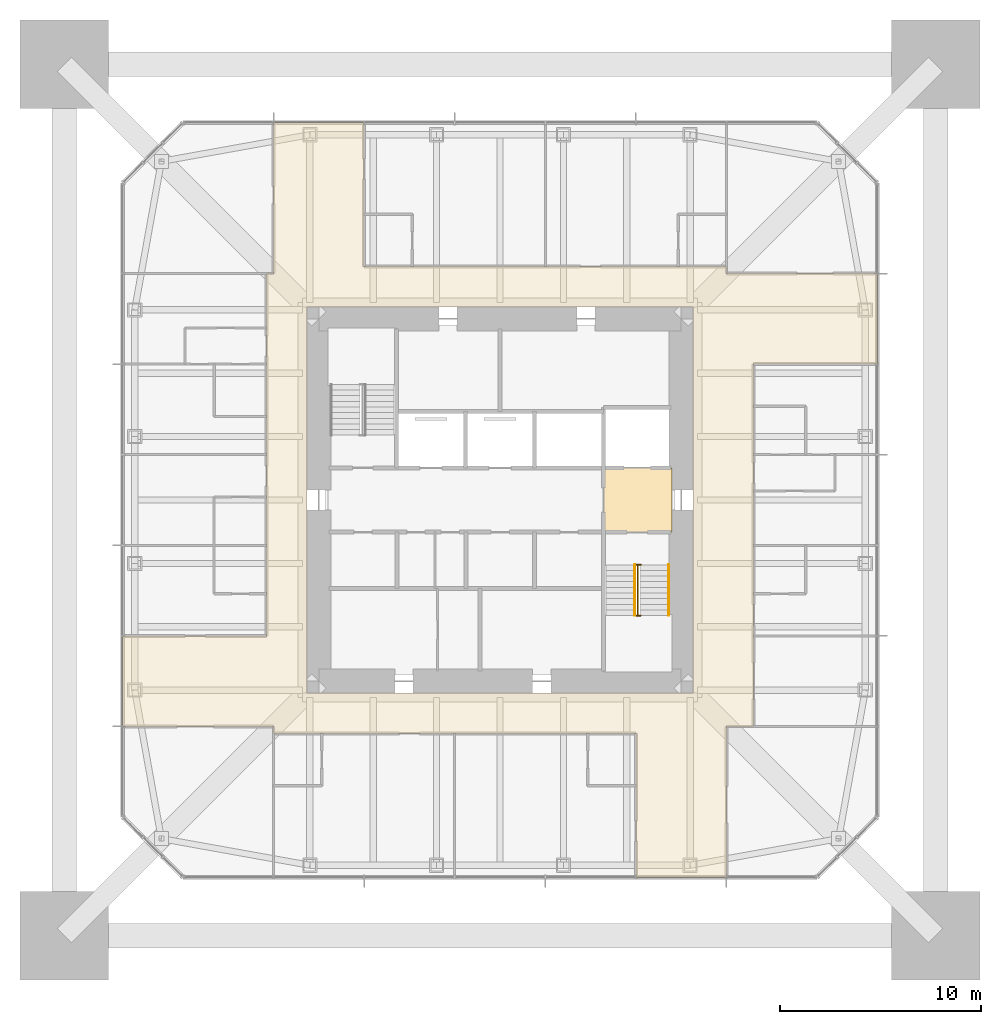
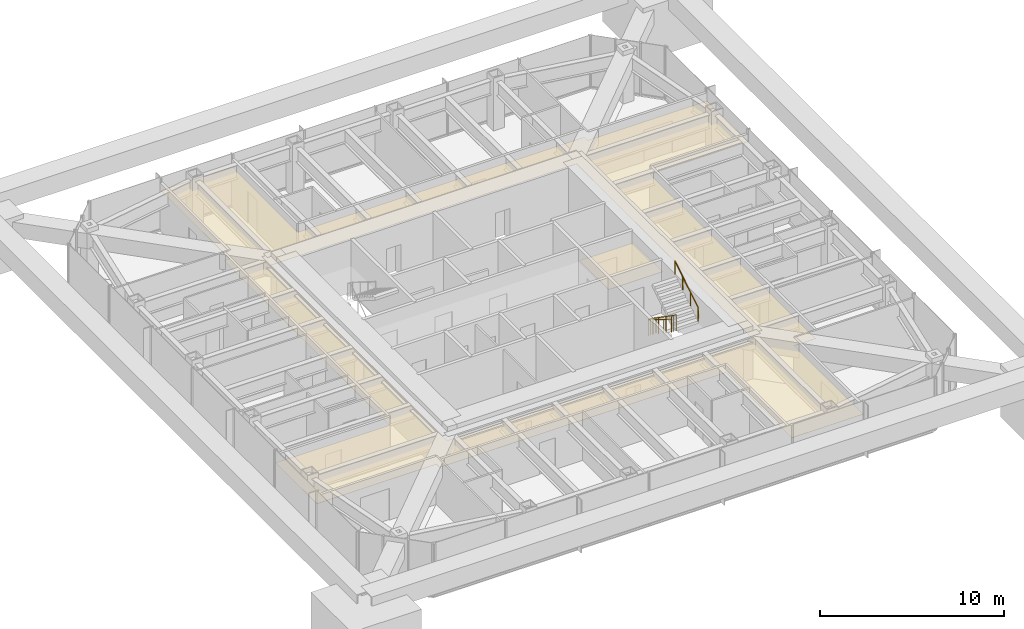
# One storey, part 14 of 15: 3 railings, 2 coverings.
"""IFC4 building model written with IfcOpenShell, lengths in metres."""

from ifc_helpers import new_model, si_unit, direction, frame, origin, origin_2d, place, context, subcontext, project, spatial, polyline, circle, outline, extrude, material, layer, layer_set, constituent, constituent_set, type_object, element, save


model = new_model("IFC4")

# Units and contexts
model_context = context("Model", 3, precision=1e-05, world=origin(), true_north=direction((0.0, 1.0)))
body_context = subcontext(model_context, "Body", "Model", "MODEL_VIEW")
ifc_project = project(units=[si_unit("LENGTHUNIT", "METRE"), si_unit("AREAUNIT", "SQUARE_METRE"), si_unit("VOLUMEUNIT", "CUBIC_METRE"), si_unit("PLANEANGLEUNIT", "RADIAN"), si_unit("MASSUNIT", "GRAM", prefix="KILO")], contexts=[model_context])

# Site, building, storey
site_placement = place(None, origin())
site = spatial("IfcSite", under=ifc_project, at=site_placement, CompositionType="ELEMENT")
building_placement = place(site_placement, origin())
building = spatial("IfcBuilding", under=site, at=building_placement, Name="Iwan Alto Co-Living Towers", CompositionType="ELEMENT")
storey_placement = place(building_placement, frame((0.0, 0.0, 205.5)))
storey = spatial("IfcBuildingStorey", under=building, at=storey_placement, Name="L56", CompositionType="ELEMENT", Elevation=205.5)

# Covering
ifc_material_1 = material(Name="Mineral fibre acoustic tiles on steel grid", Category="steel")
ifc_layer_1 = layer(ifc_material_1, 0.02001953125)
ifc_layer_set_1 = layer_set([ifc_layer_1], Name="ACOUSTIC TILE CEILING 20")
covering_type_1 = type_object("IfcCoveringType", Name="ACOUSTIC TILE CEILING 20", PredefinedType="CEILING", material=ifc_layer_set_1)
covering_1_placement = place(storey_placement, frame((0.0, 0.0, 2.60009765625)))
element("IfcCovering", 1, at=covering_1_placement, inside=storey, type_object=covering_type_1, Name="Ceiling Firefighting lobby L56", PredefinedType="CEILING", context=body_context, shape_type="SweptSolid", body=[
    extrude(outline(polyline([(5.14990234375, -1.60009765625), (5.14990234375, 1.60009765625), (8.550048828125, 1.60009765625), (8.550048828125, -1.60009765625), (5.14990234375, -1.60009765625)])), origin(), (0.0, 0.0, 1.0), 0.02001953125),
])

# Railings
ifc_material_2 = material(Name="Steel ASTM A500 Gr C", Category="steel")
ifc_constituent_1 = constituent(ifc_material_2, Name="Rails and posts", Category="Framing")
ifc_material_3 = material(Name="Steel ASTM A36", Category="steel")
ifc_constituent_2 = constituent(ifc_material_3, Name="Bar infill", Category="Infill")
ifc_constituent_set = constituent_set(constituents=[ifc_constituent_1, ifc_constituent_2], Name="STAIR GUARD 1100")
railing_type_1 = type_object("IfcRailingType", Name="STAIR GUARD 1100", PredefinedType="GUARDRAIL", material=ifc_constituent_set)
railing_1_placement = place(storey_placement, frame((6.85009765625, -3.219970703125, 0.0)))
element("IfcRailing", 2, at=railing_1_placement, inside=storey, type_object=railing_type_1, Name="Stair T1-S2 well guard L56", PredefinedType="GUARDRAIL", context=body_context, shape_type="SweptSolid", body=[
    extrude(circle(Radius=0.02392578125, at=origin_2d()), frame((0.0, 0.0, 1.076171875), z_axis=(0.0, -0.821372036852, 0.570392826987), x_axis=(1.0, 0.0, 0.0)), (0.0, 0.0, 1.0), 3.068115234375),
    extrude(circle(Radius=0.02392578125, at=origin_2d()), frame((-0.150146484375, 0.0, 1.076171875), z_axis=(1.0, 0.0, 0.0), x_axis=(0.0, 1.0, 0.0)), (0.0, 0.0, 1.0), 0.300048828125),
    extrude(circle(Radius=0.02392578125, at=origin_2d()), frame((-0.150146484375, -2.52001953125, 2.826171875), z_axis=(1.0, 0.0, 0.0), x_axis=(0.0, 1.0, 0.0)), (0.0, 0.0, 1.0), 0.300048828125),
    extrude(circle(Radius=0.02099609375, at=origin_2d()), origin(), (0.0, 0.0, 1.0), 1.052001953125),
    extrude(circle(Radius=0.02099609375, at=origin_2d()), frame((0.0, -0.840087890625, 0.583251953125)), (0.0, 0.0, 1.0), 1.052001953125),
    extrude(circle(Radius=0.02099609375, at=origin_2d()), frame((0.0, -1.679931640625, 1.166748046875)), (0.0, 0.0, 1.0), 1.052001953125),
    extrude(circle(Radius=0.02099609375, at=origin_2d()), frame((0.0, -2.52001953125, 1.75)), (0.0, 0.0, 1.0), 1.052001953125),
    extrude(circle(Radius=0.02099609375, at=origin_2d()), frame((-0.150146484375, 0.0, 0.0)), (0.0, 0.0, 1.0), 1.052001953125),
    extrude(circle(Radius=0.02099609375, at=origin_2d()), frame((0.14990234375, 0.0, 0.0)), (0.0, 0.0, 1.0), 1.052001953125),
    extrude(circle(Radius=0.02099609375, at=origin_2d()), frame((-0.150146484375, -2.52001953125, 1.75)), (0.0, 0.0, 1.0), 1.052001953125),
    extrude(circle(Radius=0.02099609375, at=origin_2d()), frame((0.14990234375, -2.52001953125, 1.75)), (0.0, 0.0, 1.0), 1.052001953125),
])
ifc_material_4 = material(Name="Steel ASTM A500 Gr C", Category="steel")
railing_type_2 = type_object("IfcRailingType", Name="STAIR HANDRAIL 900", PredefinedType="HANDRAIL", material=ifc_material_4)
railing_2_placement = place(storey_placement, frame((6.699951171875, -3.219970703125, 0.175048828125)))
element("IfcRailing", 3, at=railing_2_placement, inside=storey, type_object=railing_type_2, Name="Stair T1-S2 handrail 1 L56", PredefinedType="HANDRAIL", context=body_context, shape_type="SweptSolid", body=[
    extrude(circle(Radius=0.02392578125, at=origin_2d()), frame((0.0, 0.0, 0.8759765625), z_axis=(0.0, -0.848007534815, 0.529984170421), x_axis=(1.0, 0.0, 0.0)), (0.0, 0.0, 1.0), 2.9716796875),
    extrude(circle(Radius=0.02099609375, at=origin_2d()), origin(), (0.0, 0.0, 1.0), 0.851806640625),
    extrude(circle(Radius=0.02099609375, at=origin_2d()), frame((0.0, -0.840087890625, 0.52490234375)), (0.0, 0.0, 1.0), 0.851806640625),
    extrude(circle(Radius=0.02099609375, at=origin_2d()), frame((0.0, -1.679931640625, 1.050048828125)), (0.0, 0.0, 1.0), 0.851806640625),
    extrude(circle(Radius=0.02099609375, at=origin_2d()), frame((0.0, -2.52001953125, 1.574951171875)), (0.0, 0.0, 1.0), 0.851806640625),
])
railing_3_placement = place(storey_placement, frame((8.3798828125, -5.739990234375, 1.925048828125)))
element("IfcRailing", 4, at=railing_3_placement, inside=storey, type_object=railing_type_2, Name="Stair T1-S2 handrail 2 L56", PredefinedType="HANDRAIL", context=body_context, shape_type="SweptSolid", body=[
    extrude(circle(Radius=0.02392578125, at=origin_2d()), frame((0.0, 0.0, 0.8759765625), z_axis=(0.0, 0.848007534815, 0.529984170421), x_axis=(-1.0, 0.0, 0.0)), (0.0, 0.0, 1.0), 2.9716796875),
    extrude(circle(Radius=0.02099609375, at=origin_2d()), origin(), (0.0, 0.0, 1.0), 0.851806640625),
    extrude(circle(Radius=0.02099609375, at=origin_2d()), frame((0.0, 0.840087890625, 0.52490234375)), (0.0, 0.0, 1.0), 0.851806640625),
    extrude(circle(Radius=0.02099609375, at=origin_2d()), frame((0.0, 1.679931640625, 1.050048828125)), (0.0, 0.0, 1.0), 0.851806640625),
    extrude(circle(Radius=0.02099609375, at=origin_2d()), frame((0.0, 2.52001953125, 1.574951171875)), (0.0, 0.0, 1.0), 0.851806640625),
])

# Covering
ifc_material_5 = material(Name="Gypsum plasterboard on steel grid", Category="steel")
ifc_layer_2 = layer(ifc_material_5, 0.014892578125)
ifc_layer_set_2 = layer_set([ifc_layer_2], Name="SUSPENDED PLASTERBOARD CEILING 15")
covering_type_2 = type_object("IfcCoveringType", Name="SUSPENDED PLASTERBOARD CEILING 15", PredefinedType="CEILING", material=ifc_layer_set_2)
covering_2_placement = place(storey_placement, frame((0.0, 0.0, 2.60009765625)))
element("IfcCovering", 5, at=covering_2_placement, inside=storey, type_object=covering_type_2, Name="Ceiling Corridor L56", PredefinedType="CEILING", context=body_context, shape_type="SweptSolid", body=[
    extrude(outline(polyline([(-18.75, -11.25), (-18.75, -6.75), (-11.60009765625, -6.75), (-11.60009765625, 11.25), (-11.25, 11.25), (-11.25, 11.60009765625), (-11.25, 18.75), (-6.75, 18.75), (-6.75, 11.60009765625), (11.25, 11.60009765625), (11.25, 11.25), (12.60009765625, 11.25), (18.75, 11.25), (18.75, 6.75), (12.60009765625, 6.75), (12.60009765625, -11.25), (11.25, -11.25), (11.25, -11.60009765625), (11.25, -18.75), (6.75, -18.75), (6.75, -11.60009765625), (-11.25, -11.60009765625), (-11.25, -11.25), (-11.60009765625, -11.25), (-18.75, -11.25)]), holes=[polyline([(9.60009765625, 9.60009765625), (-9.60009765625, 9.60009765625), (-9.60009765625, -9.60009765625), (9.60009765625, -9.60009765625), (9.60009765625, 9.60009765625)])]), origin(), (0.0, 0.0, 1.0), 0.014892578125),
])

save(model, "model.ifc")
